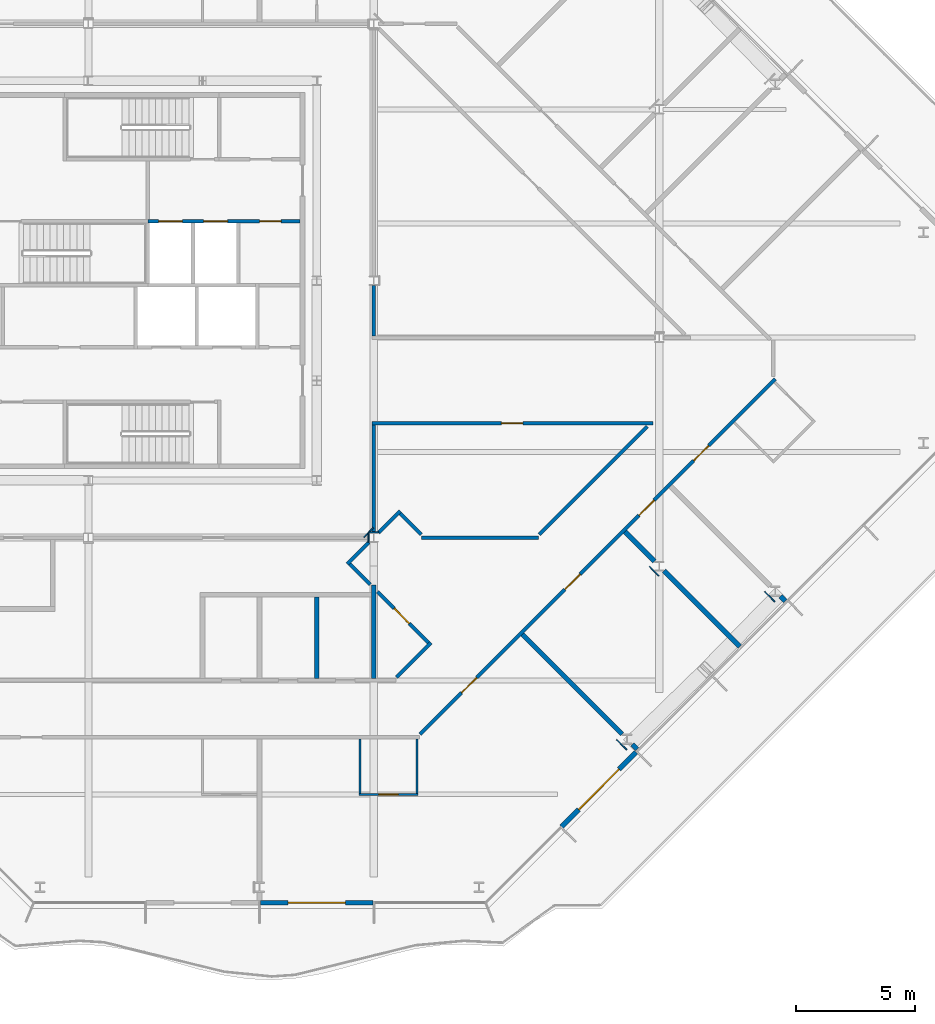
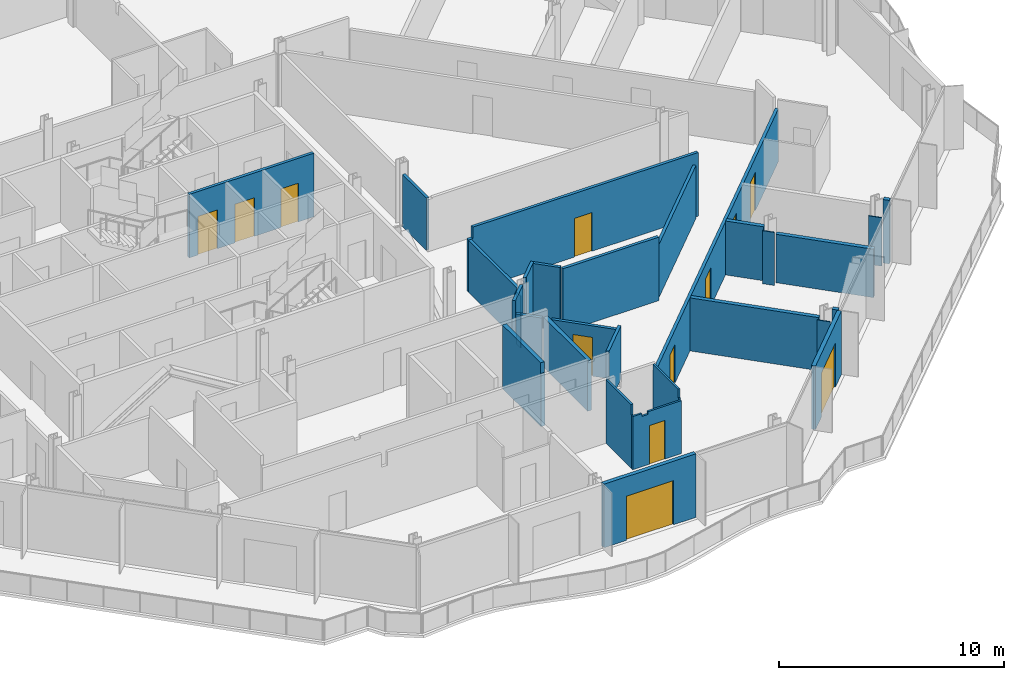
# One storey, part 9 of 17: 31 walls, 12 doors, 12 openings.
"""IFC4 building model written with IfcOpenShell, lengths in metres."""

from ifc_helpers import new_model, si_unit, direction, frame, frame_2d, origin, place, context, subcontext, project, spatial, polyline, rectangle, outline, extrude, material, layer, layer_set, type_object, element, fill, save


model = new_model("IFC4")

# Units and contexts
model_context = context("Model", 3, precision=1e-05, world=origin(), true_north=direction((0.0, 1.0)))
body_context = subcontext(model_context, "Body", "Model", "MODEL_VIEW")
ifc_project = project(units=[si_unit("LENGTHUNIT", "METRE"), si_unit("AREAUNIT", "SQUARE_METRE"), si_unit("VOLUMEUNIT", "CUBIC_METRE"), si_unit("PLANEANGLEUNIT", "RADIAN"), si_unit("MASSUNIT", "GRAM", prefix="KILO")], contexts=[model_context])

# Site, building, storey
site_placement = place(None, origin())
site = spatial("IfcSite", under=ifc_project, at=site_placement, CompositionType="ELEMENT")
building_placement = place(site_placement, origin())
building = spatial("IfcBuilding", under=site, at=building_placement, Name="Cairn Pilgrim Tower", CompositionType="ELEMENT")
storey_placement = place(building_placement, frame((0.0, 0.0, 210.60009765625)))
storey = spatial("IfcBuildingStorey", under=building, at=storey_placement, Name="L53", CompositionType="ELEMENT", Elevation=210.60009765625)

# Wall, opening, door
ifc_material_1 = material(Name="Bronze anodised aluminium insulated sandwich panel with mineral wool fill", Category="aluminium")
ifc_layer_1 = layer(ifc_material_1, 0.199951171875)
ifc_layer_set_1 = layer_set([ifc_layer_1], Name="BRONZE INFILL FRAME WALL 200")
wall_type_1 = type_object("IfcWallType", Name="BRONZE INFILL FRAME WALL 200", PredefinedType="NOTDEFINED", material=ifc_layer_set_1)
wall_1_placement = place(storey_placement, frame((14.429931640625, -23.75, 0.0), z_axis=(0.0, 0.0, 1.0), x_axis=(1.0, 0.0, 0.0)))
wall_1 = element("IfcWall", 1, at=wall_1_placement, inside=storey, type_object=wall_type_1, Name="Bronze infill frame wall IW-S3", PredefinedType="NOTDEFINED", context=body_context, shape_type="SweptSolid", body=[
    extrude(rectangle(XDim=4.739990234375, YDim=0.199951171875, at=frame_2d((2.3701171875, 0.0))), origin(), (0.0, 0.0, 1.0), 3.449951171875),
])
opening_1_placement = place(wall_1_placement, frame((1.169921875, 0.0, 0.0)))
opening_1 = element("IfcOpeningElement", 2, at=opening_1_placement, cuts=wall_1, Name="Opening 5301B2", PredefinedType="OPENING", context=body_context, shape_type="SweptSolid", body=[
    extrude(rectangle(XDim=2.39990234375, YDim=2.39990234375, at=frame_2d((1.199951171875, 1.199951171875))), frame((0.0, 0.10986328125, 0.0), z_axis=(0.0, -1.0, 0.0), x_axis=(1.0, 0.0, 0.0)), (0.0, 0.0, 1.0), 0.219970703125),
])
ifc_material_2 = material(Name="Bronze anodised aluminium frame with tinted low-E glass", Category="aluminium")
door_type_1 = type_object("IfcDoorType", Name="BALCONY SLIDING DOOR 2400x2400", OperationType="DOUBLE_DOOR_SLIDING", PredefinedType="DOOR", material=ifc_material_2)
door_1_placement = place(opening_1_placement, origin())
door_1 = element("IfcDoor", 3, at=door_1_placement, inside=storey, type_object=door_type_1, Name="Balcony sliding door 5301B2", OperationType="SINGLE_SWING_LEFT", OverallHeight=2.39990234375, OverallWidth=2.39990234375, PredefinedType="DOOR", context=body_context, shape_type="SweptSolid", body=[
    extrude(rectangle(XDim=2.39990234375, YDim=2.39990234375, at=frame_2d((1.199951171875, 1.199951171875))), frame((0.0, 0.02490234375, 0.0), z_axis=(0.0, -1.0, 0.0), x_axis=(1.0, 0.0, 0.0)), (0.0, 0.0, 1.0), 0.050048828125),
])
fill(opening_1, door_1)

wall_2_placement = place(storey_placement, frame((27.09326171875, -20.55322265625, 0.0), z_axis=(0.0, 0.0, 1.0), x_axis=(0.707079231393, 0.707134329907, 0.0)))
wall_2 = element("IfcWall", 4, at=wall_2_placement, inside=storey, type_object=wall_type_1, Name="Bronze infill frame wall IW-SE2", PredefinedType="NOTDEFINED", context=body_context, shape_type="SweptSolid", body=[
    extrude(rectangle(XDim=4.430908203125, YDim=0.199951171875, at=frame_2d((2.21533203125, 0.0))), origin(), (0.0, 0.0, 1.0), 3.449951171875),
])
opening_2_placement = place(wall_2_placement, frame((1.015380859375, 0.0, 0.0)))
opening_2 = element("IfcOpeningElement", 5, at=opening_2_placement, cuts=wall_2, Name="Opening 5301B", PredefinedType="OPENING", context=body_context, shape_type="SweptSolid", body=[
    extrude(rectangle(XDim=2.39990234375, YDim=2.39990234375, at=frame_2d((1.199951171875, 1.199951171875))), frame((0.0, 0.10986328125, 0.0), z_axis=(0.0, -1.0, 0.0), x_axis=(1.0, 0.0, 0.0)), (0.0, 0.0, 1.0), 0.219970703125),
])
door_2_placement = place(opening_2_placement, origin())
door_2 = element("IfcDoor", 6, at=door_2_placement, inside=storey, type_object=door_type_1, Name="Balcony sliding door 5301B", OperationType="SINGLE_SWING_LEFT", OverallHeight=2.39990234375, OverallWidth=2.39990234375, PredefinedType="DOOR", context=body_context, shape_type="SweptSolid", body=[
    extrude(rectangle(XDim=2.39990234375, YDim=2.39990234375, at=frame_2d((1.199951171875, 1.199951171875))), frame((0.0, 0.02490234375, 0.0), z_axis=(0.0, -1.0, 0.0), x_axis=(1.0, 0.0, 0.0)), (0.0, 0.0, 1.0), 0.050048828125),
])
fill(opening_2, door_2)

# Wall, openings, doors
ifc_material_3 = material(Name="Concrete C32/40", Category="concrete")
ifc_layer_2 = layer(ifc_material_3, 0.14990234375)
ifc_layer_set_2 = layer_set([ifc_layer_2], Name="CORE SHAFT WALL 150 EI 120")
wall_type_2 = type_object("IfcWallType", Name="CORE SHAFT WALL 150 EI 120", PredefinedType="SOLIDWALL", material=ifc_layer_set_2)
wall_3_placement = place(storey_placement, frame((9.699951171875, 4.89990234375, 0.0), z_axis=(0.0, 0.0, 1.0), x_axis=(1.0, 0.0, 0.0)))
wall_3 = element("IfcWall", 7, at=wall_3_placement, inside=storey, type_object=wall_type_2, Name="CW:L53:H09-3", PredefinedType="SOLIDWALL", context=body_context, shape_type="SweptSolid", body=[
    extrude(rectangle(XDim=6.400146484375, YDim=0.14990234375, at=frame_2d((3.2001953125, 0.0))), origin(), (0.0, 0.0, 1.0), 3.449951171875),
])
opening_3_placement = place(wall_3_placement, frame((0.449951171875, 0.0, 0.0)))
opening_3 = element("IfcOpeningElement", 8, at=opening_3_placement, cuts=wall_3, Name="Opening LD-FF1", PredefinedType="OPENING", context=body_context, shape_type="SweptSolid", body=[
    extrude(rectangle(XDim=1.0, YDim=2.10009765625, at=frame_2d((0.5, 1.050048828125))), frame((0.0, 0.0849609375, 0.0), z_axis=(0.0, -1.0, 0.0), x_axis=(1.0, 0.0, 0.0)), (0.0, 0.0, 1.0), 0.169921875),
])
opening_4_placement = place(wall_3_placement, frame((2.35009765625, 0.0, 0.0)))
opening_4 = element("IfcOpeningElement", 9, at=opening_4_placement, cuts=wall_3, Name="Opening LD-FF2", PredefinedType="OPENING", context=body_context, shape_type="SweptSolid", body=[
    extrude(rectangle(XDim=1.0, YDim=2.10009765625, at=frame_2d((0.5, 1.050048828125))), frame((0.0, 0.0849609375, 0.0), z_axis=(0.0, -1.0, 0.0), x_axis=(1.0, 0.0, 0.0)), (0.0, 0.0, 1.0), 0.169921875),
])
opening_5_placement = place(wall_3_placement, frame((4.699951171875, 0.0, 0.0)))
opening_5 = element("IfcOpeningElement", 10, at=opening_5_placement, cuts=wall_3, Name="Opening RD-R3E", PredefinedType="OPENING", context=body_context, shape_type="SweptSolid", body=[
    extrude(rectangle(XDim=0.89990234375, YDim=2.10009765625, at=frame_2d((0.449951171875, 1.050048828125))), frame((0.0, 0.0849609375, 0.0), z_axis=(0.0, -1.0, 0.0), x_axis=(1.0, 0.0, 0.0)), (0.0, 0.0, 1.0), 0.169921875),
])
ifc_material_4 = material(Name="Stainless steel", Category="steel")
door_type_2 = type_object("IfcDoorType", Name="LIFT LANDING DOOR FIRE 1000x2100", OperationType="DOUBLE_DOOR_SLIDING", PredefinedType="DOOR", material=ifc_material_4)
door_3_placement = place(opening_3_placement, origin())
door_3 = element("IfcDoor", 11, at=door_3_placement, inside=storey, type_object=door_type_2, Name="LANDING DOOR FF1", OperationType="DOUBLE_DOOR_SLIDING", OverallHeight=2.10009765625, OverallWidth=1.0, PredefinedType="DOOR", context=body_context, shape_type="SweptSolid", body=[
    extrude(rectangle(XDim=1.0, YDim=2.10009765625, at=frame_2d((0.5, 1.050048828125))), frame((0.0, 0.02490234375, 0.0), z_axis=(0.0, -1.0, 0.0), x_axis=(1.0, 0.0, 0.0)), (0.0, 0.0, 1.0), 0.050048828125),
])
fill(opening_3, door_3)
door_4_placement = place(opening_4_placement, origin())
door_4 = element("IfcDoor", 12, at=door_4_placement, inside=storey, type_object=door_type_2, Name="LANDING DOOR FF2", OperationType="DOUBLE_DOOR_SLIDING", OverallHeight=2.10009765625, OverallWidth=1.0, PredefinedType="DOOR", context=body_context, shape_type="SweptSolid", body=[
    extrude(rectangle(XDim=1.0, YDim=2.10009765625, at=frame_2d((0.5, 1.050048828125))), frame((0.0, 0.02490234375, 0.0), z_axis=(0.0, -1.0, 0.0), x_axis=(1.0, 0.0, 0.0)), (0.0, 0.0, 1.0), 0.050048828125),
])
fill(opening_4, door_4)
ifc_material_5 = material(Name="Painted steel", Category="steel")
door_type_3 = type_object("IfcDoorType", Name="SERVICE ROOM DOOR 900x2100", OperationType="SINGLE_SWING_LEFT", PredefinedType="DOOR", material=ifc_material_5)
door_5_placement = place(opening_5_placement, origin())
door_5 = element("IfcDoor", 13, at=door_5_placement, inside=storey, type_object=door_type_3, Name="RD-R3E", OperationType="SINGLE_SWING_LEFT", OverallHeight=2.10009765625, OverallWidth=0.89990234375, PredefinedType="DOOR", context=body_context, shape_type="SweptSolid", body=[
    extrude(rectangle(XDim=0.89990234375, YDim=2.10009765625, at=frame_2d((0.449951171875, 1.050048828125))), frame((0.0, 0.02490234375, 0.0), z_axis=(0.0, -1.0, 0.0), x_axis=(1.0, 0.0, 0.0)), (0.0, 0.0, 1.0), 0.050048828125),
])
fill(opening_5, door_5)

# Wall, opening, door
ifc_material_6 = material(Name="Gypsum partition")
ifc_layer_3 = layer(ifc_material_6, 0.10009765625)
ifc_layer_set_3 = layer_set([ifc_layer_3], Name="PARTITION 100 DRYWALL")
wall_type_3 = type_object("IfcWallType", Name="PARTITION 100 DRYWALL", PredefinedType="PARTITIONING", material=ifc_layer_set_3)
wall_4_placement = place(storey_placement, frame((18.568115234375, -19.199951171875, 0.0), z_axis=(0.0, 0.0, 1.0), x_axis=(1.0, 0.0, 0.0)))
wall_4 = element("IfcWall", 14, at=wall_4_placement, inside=storey, type_object=wall_type_3, Name="PARTITION W004", PredefinedType="PARTITIONING", context=body_context, shape_type="SweptSolid", body=[
    extrude(outline(polyline([(0.0, 0.0), (2.5, 0.0), (2.5, 2.8798828125), (0.781982421875, 2.8798828125), (0.780029296875, 2.72998046875), (0.48193359375, 2.72998046875), (0.47998046875, 2.8798828125), (0.0, 2.8798828125), (0.0, 0.0)])), frame((0.0, 0.050048828125, 0.0), z_axis=(0.0, -1.0, 0.0), x_axis=(1.0, 0.0, 0.0)), (0.0, 0.0, 1.0), 0.10009765625),
])
opening_6_placement = place(wall_4_placement, frame((0.85009765625, 0.0, 0.0)))
opening_6 = element("IfcOpeningElement", 15, at=opening_6_placement, cuts=wall_4, Name="Opening 5301A", PredefinedType="OPENING", context=body_context, shape_type="SweptSolid", body=[
    extrude(rectangle(XDim=0.800048828125, YDim=2.10009765625, at=frame_2d((0.39990234375, 1.050048828125))), frame((0.0, 0.06005859375, 0.0), z_axis=(0.0, -1.0, 0.0), x_axis=(1.0, 0.0, 0.0)), (0.0, 0.0, 1.0), 0.1201171875),
])
ifc_material_7 = material(Name="Timber door leaf", Category="wood")
door_type_4 = type_object("IfcDoorType", Name="WC DOOR 800x2100", OperationType="NOTDEFINED", PredefinedType="DOOR", material=ifc_material_7)
door_6_placement = place(opening_6_placement, frame((0.800048828125, 0.0, 0.0), z_axis=(0.0, 0.0, 1.0), x_axis=(-1.0, 0.0, 0.0)))
door_6 = element("IfcDoor", 16, at=door_6_placement, inside=storey, type_object=door_type_4, Name="DOOR 5301A", OperationType="SINGLE_SWING_LEFT", OverallHeight=2.10009765625, OverallWidth=0.800048828125, PredefinedType="DOOR", context=body_context, shape_type="SweptSolid", body=[
    extrude(rectangle(XDim=0.800048828125, YDim=2.10009765625, at=frame_2d((0.39990234375, 1.050048828125))), frame((0.0, 0.02490234375, 0.0), z_axis=(0.0, -1.0, 0.0), x_axis=(1.0, 0.0, 0.0)), (0.0, 0.0, 1.0), 0.050048828125),
])
fill(opening_6, door_6)

# Walls
wall_5_placement = place(storey_placement, frame((18.617919921875, -19.14990234375, 0.0), z_axis=(0.0, 0.0, 1.0), x_axis=(0.0, 1.0, 0.0)))
element("IfcWall", 17, at=wall_5_placement, inside=storey, type_object=wall_type_3, Name="PARTITION W006", PredefinedType="PARTITIONING", context=body_context, shape_type="SweptSolid", body=[
    extrude(outline(polyline([(0.0, 0.0), (2.27490234375, 0.0), (2.27490234375, 3.449951171875), (0.054931640625, 3.449951171875), (0.052978515625, 2.8798828125), (0.0, 2.8798828125), (0.0, 0.0)])), frame((0.0, 0.050048828125, 0.0), z_axis=(0.0, -1.0, 0.0), x_axis=(1.0, 0.0, 0.0)), (0.0, 0.0, 1.0), 0.10009765625),
])
wall_6_placement = place(storey_placement, frame((21.01806640625, -19.14990234375, 0.0), z_axis=(0.0, 0.0, 1.0), x_axis=(0.0, 1.0, 0.0)))
element("IfcWall", 18, at=wall_6_placement, inside=storey, type_object=wall_type_3, Name="PARTITION W007", PredefinedType="PARTITIONING", context=body_context, shape_type="SweptSolid", body=[
    extrude(outline(polyline([(0.0, 0.0), (2.27490234375, 0.0), (2.27490234375, 3.449951171875), (0.044921875, 3.449951171875), (0.04296875, 2.97998046875), (0.0, 2.97998046875), (0.0, 0.0)])), frame((0.0, 0.050048828125, 0.0), z_axis=(0.0, -1.0, 0.0), x_axis=(1.0, 0.0, 0.0)), (0.0, 0.0, 1.0), 0.10009765625),
])

# Wall, openings, doors
ifc_layer_4 = layer(ifc_material_6, 0.14990234375)
ifc_layer_set_4 = layer_set([ifc_layer_4], Name="PARTITION 150 DRYWALL EI 60")
wall_type_4 = type_object("IfcWallType", Name="PARTITION 150 DRYWALL EI 60", PredefinedType="PARTITIONING", material=ifc_layer_set_4)
wall_7_placement = place(storey_placement, frame((21.14599609375, -16.672119140625, 0.0), z_axis=(0.0, 0.0, 1.0), x_axis=(0.707100999376, 0.70711256295, 0.0)))
wall_7 = element("IfcWall", 19, at=wall_7_placement, inside=storey, type_object=wall_type_4, Name="PARTITION W011", PredefinedType="PARTITIONING", context=body_context, shape_type="SweptSolid", body=[
    extrude(rectangle(XDim=21.11279296875, YDim=0.14990234375, at=frame_2d((10.556396484375, 0.0))), origin(), (0.0, 0.0, 1.0), 2.8798828125),
])
opening_7_placement = place(wall_7_placement, frame((2.4658203125, 0.0, 0.0)))
opening_7 = element("IfcOpeningElement", 20, at=opening_7_placement, cuts=wall_7, Name="Opening 5301", PredefinedType="OPENING", context=body_context, shape_type="SweptSolid", body=[
    extrude(rectangle(XDim=0.89990234375, YDim=2.10009765625, at=frame_2d((0.449951171875, 1.050048828125))), frame((0.0, 0.0849609375, 0.0), z_axis=(0.0, -1.0, 0.0), x_axis=(1.0, 0.0, 0.0)), (0.0, 0.0, 1.0), 0.169921875),
])
opening_8_placement = place(wall_7_placement, frame((8.61083984375, 0.0, 0.0)))
opening_8 = element("IfcOpeningElement", 21, at=opening_8_placement, cuts=wall_7, Name="Opening 5302", PredefinedType="OPENING", context=body_context, shape_type="SweptSolid", body=[
    extrude(rectangle(XDim=0.89990234375, YDim=2.10009765625, at=frame_2d((0.449951171875, 1.050048828125))), frame((0.0, 0.0849609375, 0.0), z_axis=(0.0, -1.0, 0.0), x_axis=(1.0, 0.0, 0.0)), (0.0, 0.0, 1.0), 0.169921875),
])
opening_9_placement = place(wall_7_placement, frame((13.01171875, 0.0, 0.0)))
opening_9 = element("IfcOpeningElement", 22, at=opening_9_placement, cuts=wall_7, Name="Opening 5303", PredefinedType="OPENING", context=body_context, shape_type="SweptSolid", body=[
    extrude(rectangle(XDim=0.89990234375, YDim=2.10009765625, at=frame_2d((0.449951171875, 1.050048828125))), frame((0.0, 0.0849609375, 0.0), z_axis=(0.0, -1.0, 0.0), x_axis=(1.0, 0.0, 0.0)), (0.0, 0.0, 1.0), 0.169921875),
])
opening_10_placement = place(wall_7_placement, frame((16.2607421875, 0.0, 0.0)))
opening_10 = element("IfcOpeningElement", 23, at=opening_10_placement, cuts=wall_7, Name="Opening 5304", PredefinedType="OPENING", context=body_context, shape_type="SweptSolid", body=[
    extrude(rectangle(XDim=0.89990234375, YDim=2.10009765625, at=frame_2d((0.449951171875, 1.050048828125))), frame((0.0, 0.0849609375, 0.0), z_axis=(0.0, -1.0, 0.0), x_axis=(1.0, 0.0, 0.0)), (0.0, 0.0, 1.0), 0.169921875),
])
door_type_5 = type_object("IfcDoorType", Name="ROOM DOOR 900x2100 FD30S", OperationType="NOTDEFINED", PredefinedType="DOOR", material=ifc_material_7)
door_7_placement = place(opening_7_placement, frame((0.89990234375, 0.0, 0.0), z_axis=(0.0, 0.0, 1.0), x_axis=(-1.0, 0.0, 0.0)))
door_7 = element("IfcDoor", 24, at=door_7_placement, inside=storey, type_object=door_type_5, Name="DOOR 5301", OperationType="SINGLE_SWING_LEFT", OverallHeight=2.10009765625, OverallWidth=0.89990234375, PredefinedType="DOOR", context=body_context, shape_type="SweptSolid", body=[
    extrude(rectangle(XDim=0.89990234375, YDim=2.10009765625, at=frame_2d((0.449951171875, 1.050048828125))), frame((0.0, 0.02490234375, 0.0), z_axis=(0.0, -1.0, 0.0), x_axis=(1.0, 0.0, 0.0)), (0.0, 0.0, 1.0), 0.050048828125),
])
fill(opening_7, door_7)
door_8_placement = place(opening_10_placement, frame((0.89990234375, 0.0, 0.0), z_axis=(0.0, 0.0, 1.0), x_axis=(-1.0, 0.0, 0.0)))
door_8 = element("IfcDoor", 25, at=door_8_placement, inside=storey, type_object=door_type_5, Name="DOOR 5304", OperationType="SINGLE_SWING_LEFT", OverallHeight=2.10009765625, OverallWidth=0.89990234375, PredefinedType="DOOR", context=body_context, shape_type="SweptSolid", body=[
    extrude(rectangle(XDim=0.89990234375, YDim=2.10009765625, at=frame_2d((0.449951171875, 1.050048828125))), frame((0.0, 0.02490234375, 0.0), z_axis=(0.0, -1.0, 0.0), x_axis=(1.0, 0.0, 0.0)), (0.0, 0.0, 1.0), 0.050048828125),
])
fill(opening_10, door_8)
door_type_6 = type_object("IfcDoorType", Name="SERVICE DOOR 900x2100 FD30S", OperationType="NOTDEFINED", PredefinedType="DOOR", material=ifc_material_7)
door_9_placement = place(opening_8_placement, frame((0.89990234375, 0.0, 0.0), z_axis=(0.0, 0.0, 1.0), x_axis=(-1.0, 0.0, 0.0)))
door_9 = element("IfcDoor", 26, at=door_9_placement, inside=storey, type_object=door_type_6, Name="DOOR 5302", OperationType="SINGLE_SWING_LEFT", OverallHeight=2.10009765625, OverallWidth=0.89990234375, PredefinedType="DOOR", context=body_context, shape_type="SweptSolid", body=[
    extrude(rectangle(XDim=0.89990234375, YDim=2.10009765625, at=frame_2d((0.449951171875, 1.050048828125))), frame((0.0, 0.02490234375, 0.0), z_axis=(0.0, -1.0, 0.0), x_axis=(1.0, 0.0, 0.0)), (0.0, 0.0, 1.0), 0.050048828125),
])
fill(opening_8, door_9)
door_10_placement = place(opening_9_placement, frame((0.89990234375, 0.0, 0.0), z_axis=(0.0, 0.0, 1.0), x_axis=(-1.0, 0.0, 0.0)))
door_10 = element("IfcDoor", 27, at=door_10_placement, inside=storey, type_object=door_type_6, Name="DOOR 5303", OperationType="SINGLE_SWING_LEFT", OverallHeight=2.10009765625, OverallWidth=0.89990234375, PredefinedType="DOOR", context=body_context, shape_type="SweptSolid", body=[
    extrude(rectangle(XDim=0.89990234375, YDim=2.10009765625, at=frame_2d((0.449951171875, 1.050048828125))), frame((0.0, 0.02490234375, 0.0), z_axis=(0.0, -1.0, 0.0), x_axis=(1.0, 0.0, 0.0)), (0.0, 0.0, 1.0), 0.050048828125),
])
fill(opening_9, door_10)

# Wall
wall_8_placement = place(storey_placement, frame((20.15087890625, -14.27197265625, 0.0), z_axis=(0.0, 0.0, 1.0), x_axis=(0.707106781187, 0.707106781187, 0.0)))
element("IfcWall", 28, at=wall_8_placement, inside=storey, type_object=wall_type_4, Name="PARTITION W022", PredefinedType="PARTITIONING", context=body_context, shape_type="SweptSolid", body=[
    extrude(rectangle(XDim=2.054931640625, YDim=0.14990234375, at=frame_2d((1.02734375, 0.0))), origin(), (0.0, 0.0, 1.0), 2.8798828125),
])

# Wall, opening, door
wall_9_placement = place(storey_placement, frame((21.498046875, -12.819091796875, 0.0), z_axis=(0.0, 0.0, 1.0), x_axis=(-0.707106781187, 0.707106781187, 0.0)))
wall_9 = element("IfcWall", 29, at=wall_9_placement, inside=storey, type_object=wall_type_4, Name="PARTITION W025", PredefinedType="PARTITIONING", context=body_context, shape_type="SweptSolid", body=[
    extrude(rectangle(XDim=3.033447265625, YDim=0.14990234375, at=frame_2d((1.5166015625, 0.0))), origin(), (0.0, 0.0, 1.0), 2.72998046875),
])
opening_11_placement = place(wall_9_placement, frame((1.136962890625, 0.0, 0.0)))
opening_11 = element("IfcOpeningElement", 30, at=opening_11_placement, cuts=wall_9, Name="Opening 5317", PredefinedType="OPENING", context=body_context, shape_type="SweptSolid", body=[
    extrude(rectangle(XDim=0.89990234375, YDim=2.10009765625, at=frame_2d((0.449951171875, 1.050048828125))), frame((0.0, 0.0849609375, 0.0), z_axis=(0.0, -1.0, 0.0), x_axis=(1.0, 0.0, 0.0)), (0.0, 0.0, 1.0), 0.169921875),
])
door_11_placement = place(opening_11_placement, origin())
door_11 = element("IfcDoor", 31, at=door_11_placement, inside=storey, type_object=door_type_6, Name="DOOR 5317", OperationType="SINGLE_SWING_RIGHT", OverallHeight=2.10009765625, OverallWidth=0.89990234375, PredefinedType="DOOR", context=body_context, shape_type="SweptSolid", body=[
    extrude(rectangle(XDim=0.89990234375, YDim=2.10009765625, at=frame_2d((0.449951171875, 1.050048828125))), frame((0.0, 0.02490234375, 0.0), z_axis=(0.0, -1.0, 0.0), x_axis=(1.0, 0.0, 0.0)), (0.0, 0.0, 1.0), 0.050048828125),
])
fill(opening_11, door_11)

# Walls
wall_10_placement = place(storey_placement, frame((19.047119140625, -10.3681640625, 0.0), z_axis=(0.0, 0.0, 1.0), x_axis=(-0.707409718716, 0.706803713817, 0.0)))
element("IfcWall", 32, at=wall_10_placement, inside=storey, type_object=wall_type_4, Name="PARTITION W031", PredefinedType="PARTITIONING", context=body_context, shape_type="SweptSolid", body=[
    extrude(rectangle(XDim=1.20849609375, YDim=0.14990234375, at=frame_2d((0.604248046875, 0.0))), origin(), (0.0, 0.0, 1.0), 2.72998046875),
])
wall_11_placement = place(storey_placement, frame((18.0859375, -9.513916015625, 0.0), z_axis=(0.0, 0.0, 1.0), x_axis=(0.707106781187, 0.707106781187, 0.0)))
element("IfcWall", 33, at=wall_11_placement, inside=storey, type_object=wall_type_4, Name="PARTITION W033", PredefinedType="PARTITIONING", context=body_context, shape_type="SweptSolid", body=[
    extrude(rectangle(XDim=1.29541015625, YDim=0.14990234375, at=frame_2d((0.647705078125, 0.0))), origin(), (0.0, 0.0, 1.0), 3.449951171875),
])
wall_12_placement = place(storey_placement, frame((21.215087890625, -8.39990234375, 0.0), z_axis=(0.0, 0.0, 1.0), x_axis=(1.0, 0.0, 0.0)))
element("IfcWall", 34, at=wall_12_placement, inside=storey, type_object=wall_type_4, Name="PARTITION W038", PredefinedType="PARTITIONING", context=body_context, shape_type="SweptSolid", body=[
    extrude(rectangle(XDim=4.9140625, YDim=0.14990234375, at=frame_2d((2.45703125, 0.0))), origin(), (0.0, 0.0, 1.0), 3.449951171875),
])
wall_13_placement = place(storey_placement, frame((21.193115234375, -8.27197265625, 0.0), z_axis=(0.0, 0.0, 1.0), x_axis=(-0.706812296552, 0.70740114323, 0.0)))
element("IfcWall", 35, at=wall_13_placement, inside=storey, type_object=wall_type_4, Name="PARTITION W039", PredefinedType="PARTITIONING", context=body_context, shape_type="SweptSolid", body=[
    extrude(rectangle(XDim=1.243896484375, YDim=0.14990234375, at=frame_2d((0.6220703125, 0.0))), origin(), (0.0, 0.0, 1.0), 3.449951171875),
])
wall_14_placement = place(storey_placement, frame((26.151123046875, -8.27197265625, 0.0), z_axis=(0.0, 0.0, 1.0), x_axis=(0.707163762272, 0.707049795509, 0.0)))
element("IfcWall", 36, at=wall_14_placement, inside=storey, type_object=wall_type_4, Name="PARTITION W040", PredefinedType="PARTITIONING", context=body_context, shape_type="SweptSolid", body=[
    extrude(rectangle(XDim=6.426513671875, YDim=0.14990234375, at=frame_2d((3.21337890625, 0.0))), origin(), (0.0, 0.0, 1.0), 2.8798828125),
])
wall_15_placement = place(storey_placement, frame((19.199951171875, -8.20361328125, 0.0), z_axis=(0.0, 0.0, 1.0), x_axis=(0.0, 1.0, 0.0)))
element("IfcWall", 37, at=wall_15_placement, inside=storey, type_object=wall_type_4, Name="PARTITION W042", PredefinedType="PARTITIONING", context=body_context, shape_type="SweptSolid", body=[
    extrude(rectangle(XDim=4.528564453125, YDim=0.14990234375, at=frame_2d((2.26416015625, 0.0))), origin(), (0.0, 0.0, 1.0), 2.829833984375),
])
wall_16_placement = place(storey_placement, frame((19.39794921875, -8.201904296875, 0.0), z_axis=(0.0, 0.0, 1.0), x_axis=(0.707200993001, 0.707012556818, 0.0)))
element("IfcWall", 38, at=wall_16_placement, inside=storey, type_object=wall_type_4, Name="PARTITION W043", PredefinedType="PARTITIONING", context=body_context, shape_type="SweptSolid", body=[
    extrude(rectangle(XDim=1.295654296875, YDim=0.14990234375, at=frame_2d((0.64794921875, 0.0))), origin(), (0.0, 0.0, 1.0), 3.449951171875),
])

# Wall, opening, door
wall_17_placement = place(storey_placement, frame((19.125, -3.60009765625, 0.0), z_axis=(0.0, 0.0, 1.0), x_axis=(1.0, 0.0, 0.0)))
wall_17 = element("IfcWall", 39, at=wall_17_placement, inside=storey, type_object=wall_type_4, Name="PARTITION W048", PredefinedType="PARTITIONING", context=body_context, shape_type="SweptSolid", body=[
    extrude(outline(polyline([(0.0, 0.0), (11.80517578125, 0.0), (11.80517578125, 3.449951171875), (0.22509765625, 3.449951171875), (0.222900390625, 2.829833984375), (0.0, 2.829833984375), (0.0, 0.0)])), frame((0.0, 0.074951171875, 0.0), z_axis=(0.0, -1.0, 0.0), x_axis=(1.0, 0.0, 0.0)), (0.0, 0.0, 1.0), 0.14990234375),
])
opening_12_placement = place(wall_17_placement, frame((5.43701171875, 0.0, 0.0)))
opening_12 = element("IfcOpeningElement", 40, at=opening_12_placement, cuts=wall_17, Name="Opening 5318", PredefinedType="OPENING", context=body_context, shape_type="SweptSolid", body=[
    extrude(rectangle(XDim=0.89990234375, YDim=2.10009765625, at=frame_2d((0.449951171875, 1.050048828125))), frame((0.0, 0.0849609375, 0.0), z_axis=(0.0, -1.0, 0.0), x_axis=(1.0, 0.0, 0.0)), (0.0, 0.0, 1.0), 0.169921875),
])
door_12_placement = place(opening_12_placement, frame((0.89990234375, 0.0, 0.0), z_axis=(0.0, 0.0, 1.0), x_axis=(-1.0, 0.0, 0.0)))
door_12 = element("IfcDoor", 41, at=door_12_placement, inside=storey, type_object=door_type_6, Name="DOOR 5318", OperationType="SINGLE_SWING_RIGHT", OverallHeight=2.10009765625, OverallWidth=0.89990234375, PredefinedType="DOOR", context=body_context, shape_type="SweptSolid", body=[
    extrude(rectangle(XDim=0.89990234375, YDim=2.10009765625, at=frame_2d((0.449951171875, 1.050048828125))), frame((0.0, 0.02490234375, 0.0), z_axis=(0.0, -1.0, 0.0), x_axis=(1.0, 0.0, 0.0)), (0.0, 0.0, 1.0), 0.050048828125),
])
fill(opening_12, door_12)

# Walls
wall_18_placement = place(storey_placement, frame((19.199951171875, 0.074951171875, 0.0), z_axis=(0.0, 0.0, 1.0), x_axis=(0.0, 1.0, 0.0)))
element("IfcWall", 42, at=wall_18_placement, inside=storey, type_object=wall_type_4, Name="PARTITION W055", PredefinedType="PARTITIONING", context=body_context, shape_type="SweptSolid", body=[
    extrude(rectangle(XDim=2.128662109375, YDim=0.14990234375, at=frame_2d((1.064453125, 0.0))), origin(), (0.0, 0.0, 1.0), 2.829833984375),
])
ifc_layer_5 = layer(ifc_material_6, 0.050048828125)
ifc_layer_set_5 = layer_set([ifc_layer_5], Name="PARTITION 50 DRYWALL EI 60")
wall_type_5 = type_object("IfcWallType", Name="PARTITION 50 DRYWALL EI 60", PredefinedType="PARTITIONING", material=ifc_layer_set_5)
wall_19_placement = place(storey_placement, frame((29.833740234375, -17.324462890625, 0.0), z_axis=(0.0, 0.0, 1.0), x_axis=(-0.706906496032, 0.707307009627, 0.0)))
element("IfcWall", 43, at=wall_19_placement, inside=storey, type_object=wall_type_5, Name="COLUMN CASING WC02", PredefinedType="PARTITIONING", context=body_context, shape_type="SweptSolid", body=[
    extrude(rectangle(XDim=0.609619140625, YDim=0.050048828125, at=frame_2d((0.3046875, 0.0))), origin(), (0.0, 0.0, 1.0), 2.929931640625),
])
wall_20_placement = place(storey_placement, frame((31.182373046875, -10.013671875, 0.0), z_axis=(0.0, 0.0, 1.0), x_axis=(-0.707106781187, 0.707106781187, 0.0)))
element("IfcWall", 44, at=wall_20_placement, inside=storey, type_object=wall_type_5, Name="COLUMN CASING WC04", PredefinedType="PARTITIONING", context=body_context, shape_type="SweptSolid", body=[
    extrude(rectangle(XDim=0.56005859375, YDim=0.050048828125, at=frame_2d((0.280029296875, 0.0))), origin(), (0.0, 0.0, 1.0), 2.8798828125),
])
wall_21_placement = place(storey_placement, frame((36.05810546875, -11.10009765625, 0.0), z_axis=(0.0, 0.0, 1.0), x_axis=(-0.707307009627, 0.706906496032, 0.0)))
element("IfcWall", 45, at=wall_21_placement, inside=storey, type_object=wall_type_5, Name="COLUMN CASING WC05", PredefinedType="PARTITIONING", context=body_context, shape_type="SweptSolid", body=[
    extrude(rectangle(XDim=0.609619140625, YDim=0.050048828125, at=frame_2d((0.3046875, 0.0))), origin(), (0.0, 0.0, 1.0), 2.6298828125),
])
wall_22_placement = place(storey_placement, frame((18.786376953125, -8.38232421875, 0.0), z_axis=(0.0, 0.0, 1.0), x_axis=(0.707106781187, 0.707106781187, 0.0)))
element("IfcWall", 46, at=wall_22_placement, inside=storey, type_object=wall_type_5, Name="COLUMN CASING WC07", PredefinedType="PARTITIONING", context=body_context, shape_type="SweptSolid", body=[
    extrude(rectangle(XDim=0.56005859375, YDim=0.050048828125, at=frame_2d((0.280029296875, 0.0))), origin(), (0.0, 0.0, 1.0), 2.829833984375),
])
wall_23_placement = place(storey_placement, frame((19.00048828125, -8.178466796875, 0.0), z_axis=(0.0, 0.0, 1.0), x_axis=(1.0, 0.0, 0.0)))
element("IfcWall", 47, at=wall_23_placement, inside=storey, type_object=wall_type_5, Name="COLUMN CASING WC12", PredefinedType="PARTITIONING", context=body_context, shape_type="SweptSolid", body=[
    extrude(rectangle(XDim=0.39892578125, YDim=0.050048828125, at=frame_2d((0.199462890625, 0.0))), origin(), (0.0, 0.0, 1.0), 2.829833984375),
])
wall_24_placement = place(storey_placement, frame((18.9755859375, -8.596435546875, 0.0), z_axis=(0.0, 0.0, 1.0), x_axis=(0.0, 1.0, 0.0)))
element("IfcWall", 48, at=wall_24_placement, inside=storey, type_object=wall_type_5, Name="COLUMN CASING WC13", PredefinedType="PARTITIONING", context=body_context, shape_type="SweptSolid", body=[
    extrude(rectangle(XDim=0.392822265625, YDim=0.050048828125, at=frame_2d((0.1962890625, 0.0))), origin(), (0.0, 0.0, 1.0), 2.829833984375),
])
ifc_layer_6 = layer(ifc_material_6, 0.199951171875)
ifc_layer_set_6 = layer_set([ifc_layer_6], Name="SHAFT WALL 200 GYPSUM EI 60")
wall_type_6 = type_object("IfcWallType", Name="SHAFT WALL 200 GYPSUM EI 60", PredefinedType="PARTITIONING", material=ifc_layer_set_6)
wall_25_placement = place(storey_placement, frame((30.268798828125, -17.292724609375, 0.0), z_axis=(0.0, 0.0, 1.0), x_axis=(-0.707106781187, 0.707106781187, 0.0)))
element("IfcWall", 49, at=wall_25_placement, inside=storey, type_object=wall_type_6, Name="PARTITION W008", PredefinedType="PARTITIONING", context=body_context, shape_type="SweptSolid", body=[
    extrude(rectangle(XDim=0.28515625, YDim=0.199951171875, at=frame_2d((0.142578125, 0.0))), origin(), (0.0, 0.0, 1.0), 3.449951171875),
])
wall_26_placement = place(storey_placement, frame((29.635986328125, -16.66015625, 0.0), z_axis=(0.0, 0.0, 1.0), x_axis=(-0.707106781187, 0.707106781187, 0.0)))
element("IfcWall", 50, at=wall_26_placement, inside=storey, type_object=wall_type_6, Name="PARTITION W012", PredefinedType="PARTITIONING", context=body_context, shape_type="SweptSolid", body=[
    extrude(rectangle(XDim=5.919921875, YDim=0.199951171875, at=frame_2d((2.9599609375, 0.0))), origin(), (0.0, 0.0, 1.0), 2.8798828125),
])
wall_27_placement = place(storey_placement, frame((16.800048828125, -14.324951171875, 0.0), z_axis=(0.0, 0.0, 1.0), x_axis=(0.0, 1.0, 0.0)))
element("IfcWall", 51, at=wall_27_placement, inside=storey, type_object=wall_type_6, Name="PARTITION W020", PredefinedType="PARTITIONING", context=body_context, shape_type="SweptSolid", body=[
    extrude(outline(polyline([(0.0, 0.0), (3.425048828125, 0.0), (3.425048828125, 3.449951171875), (0.030029296875, 3.449951171875), (0.028076171875, 2.8798828125), (0.0, 2.8798828125), (0.0, 0.0)])), frame((0.0, 0.10009765625, 0.0), z_axis=(0.0, -1.0, 0.0), x_axis=(1.0, 0.0, 0.0)), (0.0, 0.0, 1.0), 0.199951171875),
])
wall_28_placement = place(storey_placement, frame((19.199951171875, -14.324951171875, 0.0), z_axis=(0.0, 0.0, 1.0), x_axis=(0.0, 1.0, 0.0)))
element("IfcWall", 52, at=wall_28_placement, inside=storey, type_object=wall_type_6, Name="PARTITION W021", PredefinedType="PARTITIONING", context=body_context, shape_type="SweptSolid", body=[
    extrude(rectangle(XDim=3.92041015625, YDim=0.199951171875, at=frame_2d((1.960205078125, 0.0))), origin(), (0.0, 0.0, 1.0), 2.72998046875),
])
wall_29_placement = place(storey_placement, frame((34.580810546875, -12.980712890625, 0.0), z_axis=(0.0, 0.0, 1.0), x_axis=(-0.707133900936, 0.707079660397, 0.0)))
element("IfcWall", 53, at=wall_29_placement, inside=storey, type_object=wall_type_6, Name="PARTITION W024", PredefinedType="PARTITIONING", context=body_context, shape_type="SweptSolid", body=[
    extrude(rectangle(XDim=4.5009765625, YDim=0.199951171875, at=frame_2d((2.25048828125, 0.0))), origin(), (0.0, 0.0, 1.0), 2.6298828125),
])
wall_30_placement = place(storey_placement, frame((36.492919921875, -11.06884765625, 0.0), z_axis=(0.0, 0.0, 1.0), x_axis=(-0.707534423513, 0.706678880075, 0.0)))
element("IfcWall", 54, at=wall_30_placement, inside=storey, type_object=wall_type_6, Name="PARTITION W028", PredefinedType="PARTITIONING", context=body_context, shape_type="SweptSolid", body=[
    extrude(rectangle(XDim=0.285400390625, YDim=0.199951171875, at=frame_2d((0.142578125, 0.0))), origin(), (0.0, 0.0, 1.0), 3.449951171875),
])
wall_31_placement = place(storey_placement, frame((31.001953125, -9.402099609375, 0.0), z_axis=(0.0, 0.0, 1.0), x_axis=(-0.707106781187, 0.707106781187, 0.0)))
element("IfcWall", 55, at=wall_31_placement, inside=storey, type_object=wall_type_6, Name="PARTITION W034", PredefinedType="PARTITIONING", context=body_context, shape_type="SweptSolid", body=[
    extrude(rectangle(XDim=1.753662109375, YDim=0.199951171875, at=frame_2d((0.876953125, 0.0))), origin(), (0.0, 0.0, 1.0), 2.929931640625),
])

save(model, "model.ifc")
